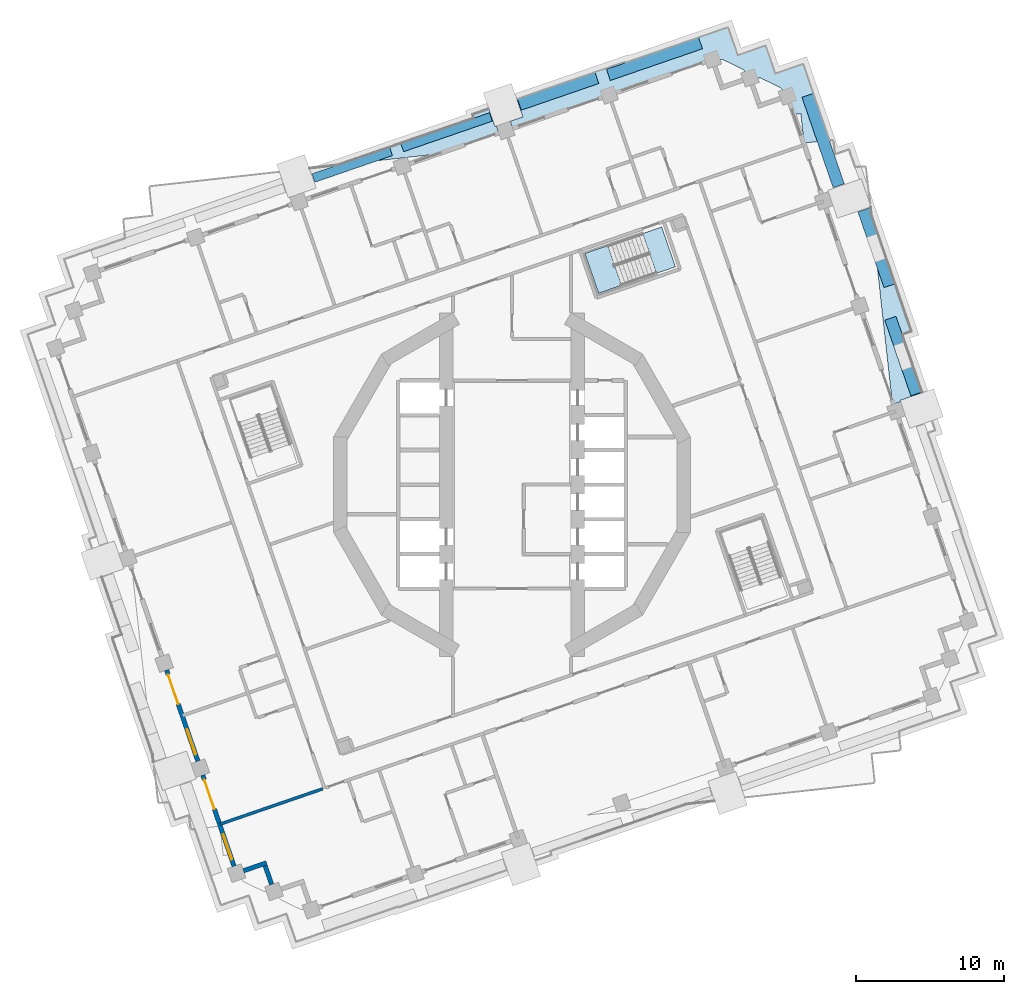
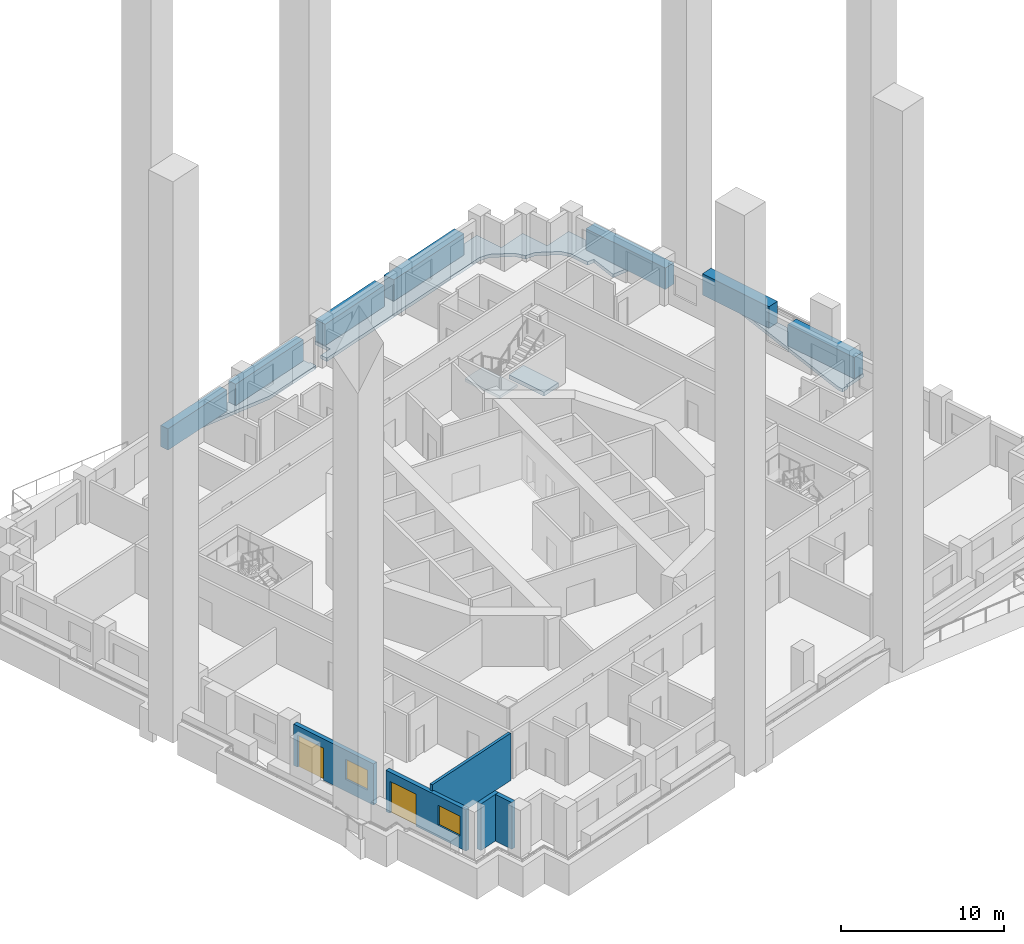
# One storey, part 2 of 18: 7 plates, 5 slabs, 5 walls, 2 doors, 2 windows, 4 openings, 1 element without a shape of its own.
"""IFC4 building model written with IfcOpenShell, lengths in metres."""

from ifc_helpers import new_model, si_unit, direction, frame, frame_2d, origin, origin_2d, place, context, subcontext, project, spatial, polyline, rectangle, outline, extrude, material, layer, layer_set, type_object, element, fill, aggregate, save


model = new_model("IFC4")

# Units and contexts
model_context = context("Model", 3, precision=1e-05, world=origin(), true_north=direction((0.0, 1.0)))
body_context = subcontext(model_context, "Body", "Model", "MODEL_VIEW")
ifc_project = project(units=[si_unit("LENGTHUNIT", "METRE"), si_unit("AREAUNIT", "SQUARE_METRE"), si_unit("VOLUMEUNIT", "CUBIC_METRE"), si_unit("PLANEANGLEUNIT", "RADIAN"), si_unit("MASSUNIT", "GRAM", prefix="KILO")], contexts=[model_context])

# Site, building, storey
site_placement = place(None, origin())
site = spatial("IfcSite", under=ifc_project, at=site_placement, CompositionType="ELEMENT")
building_placement = place(site_placement, origin())
building = spatial("IfcBuilding", under=site, at=building_placement, Name="Cantera Rosa Tower", CompositionType="ELEMENT")
storey_placement = place(building_placement, frame((0.0, 0.0, 100.300048828125)))
storey = spatial("IfcBuildingStorey", under=building, at=storey_placement, Name="L19", CompositionType="ELEMENT", Elevation=100.300048828125)

# Slabs
ifc_material_1 = material(Name="Concrete C35/45", Category="concrete")
ifc_layer_1 = layer(ifc_material_1, 0.25)
ifc_layer_set_1 = layer_set([ifc_layer_1], Name="LOGGIA SLAB 250 C35/45")
slab_type_1 = type_object("IfcSlabType", Name="LOGGIA SLAB 250 C35/45", PredefinedType="FLOOR", material=ifc_layer_set_1)
slab_1_placement = place(storey_placement, frame((0.0, 0.0, -0.25)))
element("IfcSlab", 1, at=slab_1_placement, inside=storey, type_object=slab_type_1, Name="LOGGIA SLAB L19 4", PredefinedType="FLOOR", context=body_context, shape_type="SweptSolid", body=[
    extrude(outline(polyline([(-5.0302734375, 22.381591796875), (-11.8291015625, 21.627197265625), (-9.32958984375, 22.48779296875), (-6.492919921875, 23.464599609375), (-2.579833984375, 24.811767578125), (-2.6650390625, 25.05908203125), (-1.56689453125, 25.43701171875), (-1.15625, 24.244384765625), (-1.061767578125, 24.277099609375), (-0.89892578125, 23.80419921875), (-5.0302734375, 22.381591796875)])), origin(), (0.0, 0.0, 1.0), 0.25),
])
slab_2_placement = place(storey_placement, frame((0.0, 0.0, -0.25)))
element("IfcSlab", 2, at=slab_2_placement, inside=storey, type_object=slab_type_1, Name="LOGGIA SLAB L19 5", PredefinedType="FLOOR", context=body_context, shape_type="SweptSolid", body=[
    extrude(outline(polyline([(15.1748046875, 29.3388671875), (15.272705078125, 29.05517578125), (15.556396484375, 29.15283203125), (17.16357421875, 29.706298828125), (17.717041015625, 28.09912109375), (17.814697265625, 27.815185546875), (18.098388671875, 27.9130859375), (19.705810546875, 28.466552734375), (20.25927734375, 26.859130859375), (21.480712890625, 23.31201171875), (19.77001953125, 23.1220703125), (19.54931640625, 25.10986328125), (19.08154296875, 25.057861328125), (18.948974609375, 25.443115234375), (18.65185546875, 26.3056640625), (18.240966796875, 26.814453125), (18.220458984375, 26.83544921875), (18.197998046875, 26.8544921875), (18.173583984375, 26.87109375), (18.14794921875, 26.88525390625), (16.876708984375, 27.505126953125), (16.849609375, 27.516845703125), (16.82177734375, 27.525634765625), (16.79296875, 27.53173828125), (16.763671875, 27.534912109375), (16.109619140625, 27.54541015625), (15.698974609375, 28.05419921875), (15.67822265625, 28.075439453125), (15.65576171875, 28.09423828125), (15.631591796875, 28.111083984375), (15.605712890625, 28.125), (14.334716796875, 28.7451171875), (14.3076171875, 28.756591796875), (14.279541015625, 28.765625), (14.250732421875, 28.771728515625), (14.221435546875, 28.77490234375), (13.567626953125, 28.785400390625), (0.046630859375, 24.1298828125), (-0.1162109375, 24.6025390625), (0.73486328125, 24.8955078125), (0.32421875, 26.08837890625), (7.66259765625, 28.615234375), (7.6826171875, 28.55712890625), (13.01416015625, 30.392822265625), (14.62158203125, 30.9462890625), (15.1748046875, 29.3388671875)])), origin(), (0.0, 0.0, 1.0), 0.25),
])
slab_3_placement = place(storey_placement, frame((0.0, 0.0, -0.25)))
element("IfcSlab", 3, at=slab_3_placement, inside=storey, type_object=slab_type_1, Name="LOGGIA SLAB L19 6", PredefinedType="FLOOR", context=body_context, shape_type="SweptSolid", body=[
    extrude(outline(polyline([(27.776611328125, 6.22216796875), (26.274169921875, 5.704833984375), (26.306640625, 5.6103515625), (25.833984375, 5.447509765625), (25.71923828125, 5.780517578125), (24.333984375, 18.262939453125), (27.049072265625, 10.377685546875), (26.42041015625, 10.161376953125), (27.776611328125, 6.22216796875)])), origin(), (0.0, 0.0, 1.0), 0.25),
])

# Plates
ifc_material_2 = material(Name="Cantera stone planter with soil", Category="masonry")
plate_type_1 = type_object("IfcPlateType", Name="PLANTER 600", PredefinedType="USERDEFINED", material=ifc_material_2)
plate_1_placement = place(storey_placement, frame((-4.433349609375, 23.8564453125, 0.0), z_axis=(0.0, 0.0, 1.0), x_axis=(-0.945518575599, -0.325568154457, 0.0)))
element("IfcPlate", 4, at=plate_1_placement, inside=storey, type_object=plate_type_1, Name="PLANTER L19-08", ObjectType="PLANTER", PredefinedType="USERDEFINED", context=body_context, shape_type="SweptSolid", body=[
    extrude(rectangle(XDim=6.35009765625, YDim=0.60009765625, at=origin_2d()), origin(), (0.0, 0.0, 1.0), 1.60009765625),
])
plate_2_placement = place(storey_placement, frame((-10.815673828125, 21.65869140625, 0.0), z_axis=(0.0, 0.0, 1.0), x_axis=(-0.945518575599, -0.325568154457, 0.0)))
element("IfcPlate", 5, at=plate_2_placement, inside=storey, type_object=plate_type_1, Name="PLANTER L19-09", ObjectType="PLANTER", PredefinedType="USERDEFINED", context=body_context, shape_type="SweptSolid", body=[
    extrude(rectangle(XDim=5.550048828125, YDim=0.60009765625, at=origin_2d()), origin(), (0.0, 0.0, 1.0), 1.60009765625),
])
ifc_material_3 = material(Name="Cantera stone planter with soil", Category="masonry")
plate_type_2 = type_object("IfcPlateType", Name="PLANTER 800", PredefinedType="USERDEFINED", material=ifc_material_3)
for number, where, z_axis, x_axis, name in (
    (6, (26.5, 8.70166015625, 0.0), (0.0, 0.0, 1.0), (-0.325568154457, 0.945518575599, 0.0), "PLANTER L19-03"),
    (7, (24.68017578125, 16.0283203125, 0.0), (0.0, 0.0, 1.0), (-0.325568154457, 0.945518575599, 0.0), "PLANTER L19-04"),
):
    element("IfcPlate", number, at=place(storey_placement, frame(where, z_axis=z_axis, x_axis=x_axis)), inside=storey, type_object=plate_type_2, Name=name, ObjectType="PLANTER", PredefinedType="USERDEFINED", context=body_context, shape_type="SweptSolid", body=[
        extrude(rectangle(XDim=5.419921875, YDim=0.800048828125, at=origin_2d()), origin(), (0.0, 0.0, 1.0), 1.60009765625),
    ])
plate_3_placement = place(storey_placement, frame((21.064453125, 23.2919921875, 0.0), z_axis=(0.0, 0.0, 1.0), x_axis=(-0.325568154457, 0.945518575599, 0.0)))
element("IfcPlate", 8, at=plate_3_placement, inside=storey, type_object=plate_type_2, Name="PLANTER L19-05", ObjectType="PLANTER", PredefinedType="USERDEFINED", context=body_context, shape_type="SweptSolid", body=[
    extrude(rectangle(XDim=6.469970703125, YDim=0.800048828125, at=origin_2d()), origin(), (0.0, 0.0, 1.0), 1.60009765625),
])
plate_4_placement = place(storey_placement, frame((9.64599609375, 28.81005859375, 0.0), z_axis=(0.0, 0.0, 1.0), x_axis=(-0.945518575599, -0.325568154457, 0.0)))
element("IfcPlate", 9, at=plate_4_placement, inside=storey, type_object=plate_type_2, Name="PLANTER L19-06", ObjectType="PLANTER", PredefinedType="USERDEFINED", context=body_context, shape_type="SweptSolid", body=[
    extrude(rectangle(XDim=6.60009765625, YDim=0.800048828125, at=origin_2d()), origin(), (0.0, 0.0, 1.0), 1.60009765625),
])
plate_5_placement = place(storey_placement, frame((3.12548828125, 26.6298828125, 0.0), z_axis=(0.0, 0.0, 1.0), x_axis=(-0.945518575599, -0.325568154457, 0.0)))
element("IfcPlate", 10, at=plate_5_placement, inside=storey, type_object=plate_type_2, Name="PLANTER L19-07", ObjectType="PLANTER", PredefinedType="USERDEFINED", context=body_context, shape_type="SweptSolid", body=[
    extrude(rectangle(XDim=5.550048828125, YDim=0.800048828125, at=origin_2d()), origin(), (0.0, 0.0, 1.0), 1.60009765625),
])

# Slab
ifc_material_4 = material(Name="Concrete C50/60", Category="concrete")
ifc_layer_2 = layer(ifc_material_4, 0.300048828125)
ifc_layer_set_2 = layer_set([ifc_layer_2], Name="RC STAIR ARRIVAL LANDING 300 C50/60")
slab_type_2 = type_object("IfcSlabType", Name="RC STAIR ARRIVAL LANDING 300 C50/60", PredefinedType="FLOOR", material=ifc_layer_set_2)
slab_4_placement = place(storey_placement, frame((0.0, 0.0, -0.300048828125)))
element("IfcSlab", 11, at=slab_4_placement, inside=storey, type_object=slab_type_2, Name="SLAB L19 arrival 2", PredefinedType="FLOOR", context=body_context, shape_type="SweptSolid", body=[
    extrude(outline(polyline([(10.13623046875, 17.442626953125), (11.064208984375, 14.747802734375), (9.7763671875, 14.304443359375), (8.848388671875, 16.999267578125), (10.13623046875, 17.442626953125)])), origin(), (0.0, 0.0, 1.0), 0.300048828125),
])

# Stair, slab
ifc_material_5 = material(Name="Concrete C35/45", Category="concrete")
stair_type = type_object("IfcStairType", Name="EXIT STAIR 1350 DOGLEG", PredefinedType="HALF_TURN_STAIR", material=ifc_material_5)
stair_placement = place(storey_placement, origin())
stair = element("IfcStair", 12, at=stair_placement, inside=storey, type_object=stair_type, Name="L19 ST-21", PredefinedType="HALF_TURN_STAIR")
ifc_material_6 = material(Name="Concrete C35/45", Category="concrete")
ifc_layer_3 = layer(ifc_material_6, 0.199951171875)
ifc_layer_set_3 = layer_set([ifc_layer_3], Name="STAIR LANDING 200")
slab_type_3 = type_object("IfcSlabType", Name="STAIR LANDING 200", PredefinedType="LANDING", material=ifc_layer_set_3)
slab_5_placement = place(storey_placement, frame((0.0, 0.0, 1.699951171875)))
slab_5 = element("IfcSlab", 13, at=slab_5_placement, type_object=slab_type_3, Name="ST-21 landing 1", PredefinedType="LANDING", context=body_context, shape_type="SweptSolid", body=[
    extrude(outline(polyline([(6.488525390625, 16.1865234375), (4.935791015625, 15.652099609375), (5.86376953125, 12.957275390625), (7.416259765625, 13.491943359375), (6.488525390625, 16.1865234375)])), origin(), (0.0, 0.0, 1.0), 0.199951171875),
])
aggregate(stair, [slab_5])

# Walls
ifc_material_7 = material(Name="Hollow clay masonry with cantera stone cladding", Category="masonry")
ifc_layer_4 = layer(ifc_material_7, 0.300048828125)
ifc_layer_set_4 = layer_set([ifc_layer_4], Name="EW-LOGGIA 300")
wall_type_1 = type_object("IfcWallType", Name="EW-LOGGIA 300", PredefinedType="SOLIDWALL", material=ifc_layer_set_4)
wall_1_placement = place(storey_placement, frame((-18.17919921875, -26.142822265625, 0.0), z_axis=(0.0, 0.0, 1.0), x_axis=(0.945530119553, 0.32553462645, 0.0)))
element("IfcWall", 14, at=wall_1_placement, inside=storey, type_object=wall_type_1, Name="EN-L19-W21a", PredefinedType="SOLIDWALL", context=body_context, shape_type="SweptSolid", body=[
    extrude(rectangle(XDim=1.64990234375, YDim=0.300048828125, at=frame_2d((0.824951171875, 0.0))), origin(), (0.0, 0.0, 1.0), 3.5),
])
wall_2_placement = place(storey_placement, frame((-16.7119140625, -25.79638671875, 0.0), z_axis=(0.0, 0.0, 1.0), x_axis=(0.325544748006, -0.945526634763, 0.0)))
element("IfcWall", 15, at=wall_2_placement, inside=storey, type_object=wall_type_1, Name="EN-L19-W21b", PredefinedType="SOLIDWALL", context=body_context, shape_type="SweptSolid", body=[
    extrude(rectangle(XDim=1.349853515625, YDim=0.300048828125, at=frame_2d((0.6748046875, 0.0))), origin(), (0.0, 0.0, 1.0), 3.5),
])

# Wall, openings, window, door
ifc_material_8 = material(Name="Hollow clay masonry with cantera stone cladding", Category="masonry")
ifc_layer_5 = layer(ifc_material_8, 0.300048828125)
ifc_layer_set_5 = layer_set([ifc_layer_5], Name="EW-LOGGIA 300 H3090")
wall_type_2 = type_object("IfcWallType", Name="EW-LOGGIA 300 H3090", PredefinedType="SOLIDWALL", material=ifc_layer_set_5)
wall_3_placement = place(storey_placement, frame((-23.3857421875, -12.557861328125, 0.0), z_axis=(0.0, 0.0, 1.0), x_axis=(0.325580990241, -0.945514155787, 0.0)))
wall_3 = element("IfcWall", 16, at=wall_3_placement, inside=storey, type_object=wall_type_2, Name="EN-L19-W19", PredefinedType="SOLIDWALL", context=body_context, shape_type="SweptSolid", body=[
    extrude(rectangle(XDim=6.52001953125, YDim=0.300048828125, at=frame_2d((3.260009765625, 0.0))), origin(), (0.0, 0.0, 1.0), 3.08984375),
])
opening_1_placement = place(wall_3_placement, frame((0.330078125, 0.0, 0.0)))
opening_1 = element("IfcOpeningElement", 17, at=opening_1_placement, cuts=wall_3, Name="Opening L19-TD29", PredefinedType="OPENING", context=body_context, shape_type="SweptSolid", body=[
    extrude(rectangle(XDim=2.10009765625, YDim=2.39990234375, at=frame_2d((1.050048828125, 1.199951171875))), frame((0.0, 0.159912109375, 0.0), z_axis=(0.0, -1.0, 0.0), x_axis=(1.0, 0.0, 0.0)), (0.0, 0.0, 1.0), 0.320068359375),
])
opening_2_placement = place(wall_3_placement, frame((4.239990234375, 0.0, 0.89990234375)))
opening_2 = element("IfcOpeningElement", 18, at=opening_2_placement, cuts=wall_3, Name="Opening L19-W30", PredefinedType="OPENING", context=body_context, shape_type="SweptSolid", body=[
    extrude(rectangle(XDim=1.800048828125, YDim=1.5, at=frame_2d((0.89990234375, 0.75))), frame((0.0, 0.159912109375, 0.0), z_axis=(0.0, -1.0, 0.0), x_axis=(1.0, 0.0, 0.0)), (0.0, 0.0, 1.0), 0.320068359375),
])
ifc_material_9 = material(Name="Aluminium frame with clear glass", Category="aluminium")
window_type = type_object("IfcWindowType", Name="Hotel room window 1800x1500", PartitioningType="DOUBLE_PANEL_VERTICAL", PredefinedType="WINDOW", material=ifc_material_9)
window_1_placement = place(opening_2_placement, origin())
window_1 = element("IfcWindow", 19, at=window_1_placement, inside=storey, type_object=window_type, Name="WINDOW L19-W30", OverallHeight=1.5, OverallWidth=1.800048828125, PartitioningType="SINGLE_PANEL", PredefinedType="WINDOW", context=body_context, shape_type="SweptSolid", body=[
    extrude(rectangle(XDim=1.800048828125, YDim=1.5, at=frame_2d((0.89990234375, 0.75))), frame((0.0, 0.030029296875, 0.0), z_axis=(0.0, -1.0, 0.0), x_axis=(1.0, 0.0, 0.0)), (0.0, 0.0, 1.0), 0.06005859375),
])
fill(opening_2, window_1)
ifc_material_10 = material(Name="Aluminium frame with clear glass", Category="aluminium")
door_type = type_object("IfcDoorType", Name="TD-H 2100x2400", OperationType="NOTDEFINED", PredefinedType="DOOR", material=ifc_material_10)
door_1_placement = place(opening_1_placement, origin())
door_1 = element("IfcDoor", 20, at=door_1_placement, inside=storey, type_object=door_type, Name="LOGGIA DOOR L19-TD29", OperationType="SLIDING_TO_LEFT", OverallHeight=2.39990234375, OverallWidth=2.10009765625, PredefinedType="DOOR", context=body_context, shape_type="SweptSolid", body=[
    extrude(rectangle(XDim=2.10009765625, YDim=2.39990234375, at=frame_2d((1.050048828125, 1.199951171875))), frame((0.0, 0.02490234375, 0.0), z_axis=(0.0, -1.0, 0.0), x_axis=(1.0, 0.0, 0.0)), (0.0, 0.0, 1.0), 0.050048828125),
])
fill(opening_1, door_1)

wall_4_placement = place(storey_placement, frame((-20.9375, -19.668212890625, 0.0), z_axis=(0.0, 0.0, 1.0), x_axis=(0.325592517631, -0.945510186335, 0.0)))
wall_4 = element("IfcWall", 21, at=wall_4_placement, inside=storey, type_object=wall_type_2, Name="EN-L19-W20", PredefinedType="SOLIDWALL", context=body_context, shape_type="SweptSolid", body=[
    extrude(rectangle(XDim=6.519775390625, YDim=0.300048828125, at=frame_2d((3.259765625, 0.0))), origin(), (0.0, 0.0, 1.0), 3.08984375),
])
opening_3_placement = place(wall_4_placement, frame((0.330078125, 0.0, 0.0)))
opening_3 = element("IfcOpeningElement", 22, at=opening_3_placement, cuts=wall_4, Name="Opening L19-TD31", PredefinedType="OPENING", context=body_context, shape_type="SweptSolid", body=[
    extrude(rectangle(XDim=2.10009765625, YDim=2.39990234375, at=frame_2d((1.050048828125, 1.199951171875))), frame((0.0, 0.159912109375, 0.0), z_axis=(0.0, -1.0, 0.0), x_axis=(1.0, 0.0, 0.0)), (0.0, 0.0, 1.0), 0.320068359375),
])
opening_4_placement = place(wall_4_placement, frame((4.239990234375, 0.0, 0.89990234375)))
opening_4 = element("IfcOpeningElement", 23, at=opening_4_placement, cuts=wall_4, Name="Opening L19-W32", PredefinedType="OPENING", context=body_context, shape_type="SweptSolid", body=[
    extrude(rectangle(XDim=1.800048828125, YDim=1.5, at=frame_2d((0.89990234375, 0.75))), frame((0.0, 0.159912109375, 0.0), z_axis=(0.0, -1.0, 0.0), x_axis=(1.0, 0.0, 0.0)), (0.0, 0.0, 1.0), 0.320068359375),
])
window_2_placement = place(opening_4_placement, origin())
window_2 = element("IfcWindow", 24, at=window_2_placement, inside=storey, type_object=window_type, Name="WINDOW L19-W32", OverallHeight=1.5, OverallWidth=1.800048828125, PartitioningType="SINGLE_PANEL", PredefinedType="WINDOW", context=body_context, shape_type="SweptSolid", body=[
    extrude(rectangle(XDim=1.800048828125, YDim=1.5, at=frame_2d((0.89990234375, 0.75))), frame((0.0, 0.030029296875, 0.0), z_axis=(0.0, -1.0, 0.0), x_axis=(1.0, 0.0, 0.0)), (0.0, 0.0, 1.0), 0.06005859375),
])
fill(opening_4, window_2)
door_2_placement = place(opening_3_placement, origin())
door_2 = element("IfcDoor", 25, at=door_2_placement, inside=storey, type_object=door_type, Name="LOGGIA DOOR L19-TD31", OperationType="SLIDING_TO_LEFT", OverallHeight=2.39990234375, OverallWidth=2.10009765625, PredefinedType="DOOR", context=body_context, shape_type="SweptSolid", body=[
    extrude(rectangle(XDim=2.10009765625, YDim=2.39990234375, at=frame_2d((1.050048828125, 1.199951171875))), frame((0.0, 0.02490234375, 0.0), z_axis=(0.0, -1.0, 0.0), x_axis=(1.0, 0.0, 0.0)), (0.0, 0.0, 1.0), 0.050048828125),
])
fill(opening_3, door_2)

# Wall
ifc_material_11 = material(Name="Gypsum board partition")
ifc_layer_6 = layer(ifc_material_11, 0.199951171875)
ifc_layer_set_6 = layer_set([ifc_layer_6], Name="PARTY WALL 200 H3550")
wall_type_3 = type_object("IfcWallType", Name="PARTY WALL 200 H3550", PredefinedType="PARTITIONING", material=ifc_layer_set_6)
wall_5_placement = place(storey_placement, frame((-19.762939453125, -22.986572265625, 0.0), z_axis=(0.0, 0.0, 1.0), x_axis=(0.945511269654, 0.32558937169, 0.0)))
element("IfcWall", 26, at=wall_5_placement, inside=storey, type_object=wall_type_3, Name="PARTY WALL L19-007", PredefinedType="PARTITIONING", context=body_context, shape_type="SweptSolid", body=[
    extrude(rectangle(XDim=7.349853515625, YDim=0.199951171875, at=frame_2d((3.6748046875, 0.0))), origin(), (0.0, 0.0, 1.0), 3.550048828125),
])

save(model, "model.ifc")
